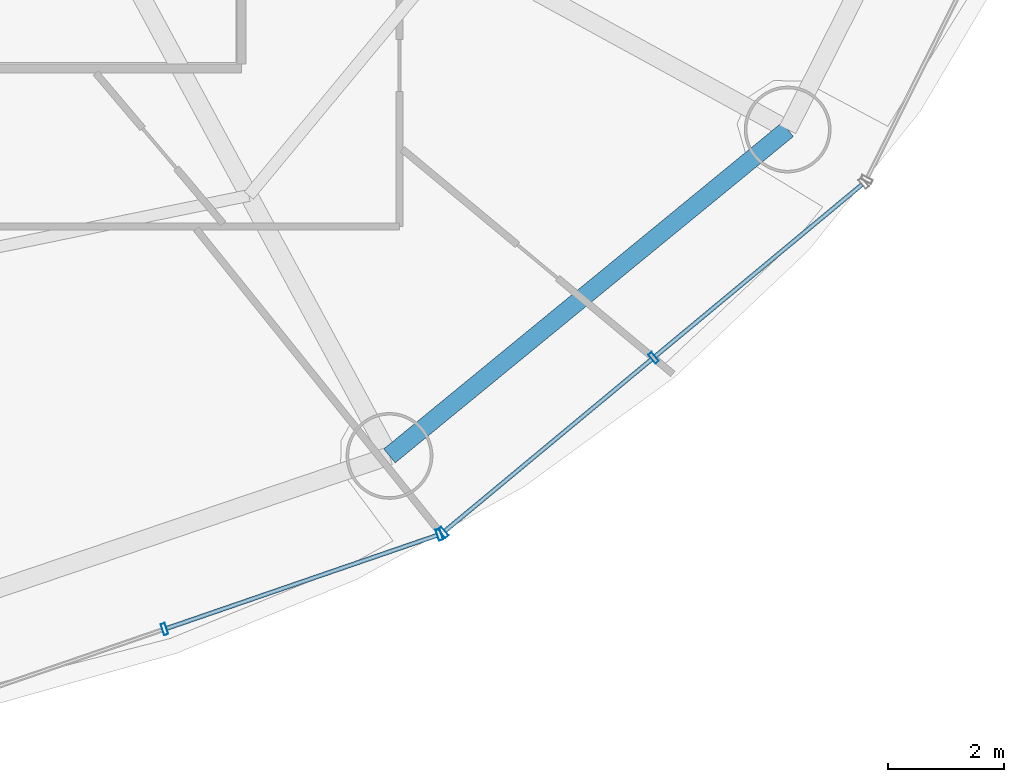
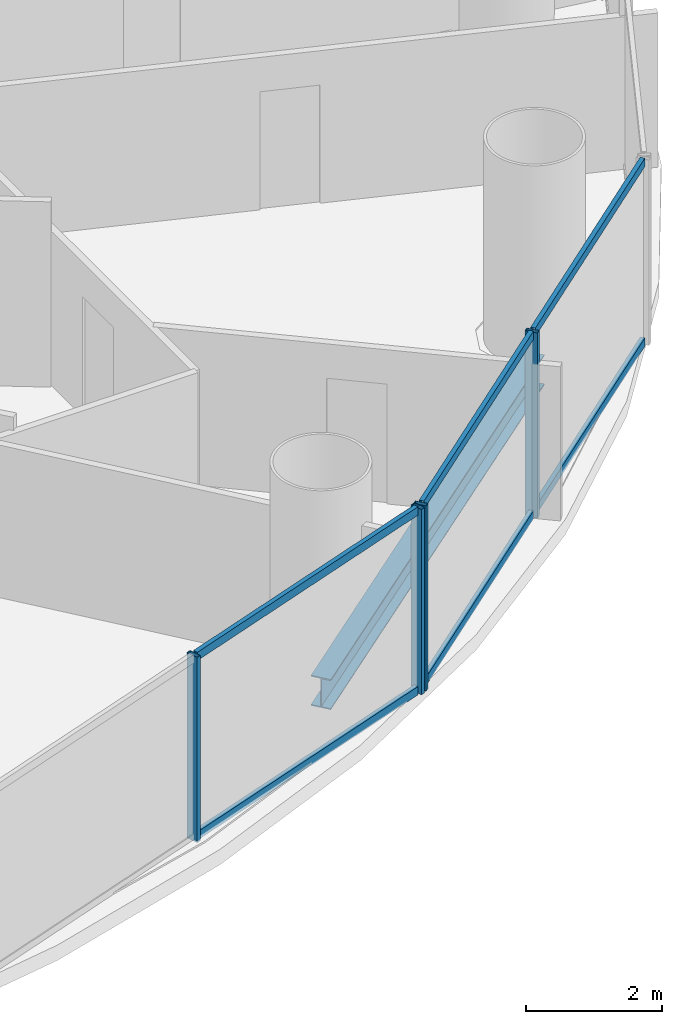
# One storey, part 11 of 29: 10 members, 1 beam, 2 elements without a shape of their own.
"""IFC4 building model written with IfcOpenShell, lengths in metres."""

from ifc_helpers import new_model, si_unit, direction, frame, origin, origin_2d, place, context, subcontext, project, spatial, hollow_rectangle, i_section, extrude, source, transform, mapped, material, material_profile, profile_set, type_object, element, aggregate, save


model = new_model("IFC4")

# Units and contexts
model_context = context("Model", 3, precision=1e-05, world=origin(), true_north=direction((-0.2419218956, 0.970295726276)))
body_context = subcontext(model_context, "Body", "Model", "MODEL_VIEW")
ifc_project = project(units=[si_unit("LENGTHUNIT", "METRE"), si_unit("AREAUNIT", "SQUARE_METRE"), si_unit("VOLUMEUNIT", "CUBIC_METRE"), si_unit("PLANEANGLEUNIT", "RADIAN"), si_unit("MASSUNIT", "GRAM", prefix="KILO")], contexts=[model_context])

# Site, building, storey
site_placement = place(None, origin())
site = spatial("IfcSite", under=ifc_project, at=site_placement, CompositionType="ELEMENT")
building_placement = place(site_placement, origin())
building = spatial("IfcBuilding", under=site, at=building_placement, Name="Cobrevalo Terracotta Tower", CompositionType="ELEMENT")
storey_placement = place(building_placement, frame((0.0, 0.0, 97.800048828125)))
storey = spatial("IfcBuildingStorey", under=building, at=storey_placement, Name="L25", CompositionType="ELEMENT", Elevation=97.800048828125)

# Beam
ifc_material_1 = material(Name="Steel S355", Category="steel")
ifc_material_profile_1 = material_profile(ifc_material_1, i_section(OverallWidth=0.31201171875, OverallDepth=0.54296875, WebThickness=0.0126953125, FlangeThickness=0.020263671875, at=origin_2d()), Name="W 530x150")
ifc_profile_set_1 = profile_set([ifc_material_profile_1], Name="Steel S355")
beam_type = type_object("IfcBeamType", Name="Structural Spandrel W 530x150 (Steel S355)", PredefinedType="SPANDREL", material=ifc_profile_set_1)
beam_placement = place(storey_placement, frame((51.861572265625, 9.79638671875, -0.546630859375), z_axis=(0.773400923541, 0.633917196064, 0.0), x_axis=(-0.633917196064, 0.773400923541, 0.0)))
element("IfcBeam", 1, at=beam_placement, inside=storey, type_object=beam_type, Name="L25 perimeter ring spandrel 14", PredefinedType="SPANDREL", context=body_context, shape_type="SweptSolid", body=[
    extrude(i_section(OverallWidth=0.31201171875, OverallDepth=0.54296875, WebThickness=0.0126953125, FlangeThickness=0.020263671875, at=origin_2d()), origin(), (0.0, 0.0, 1.0), 8.900390625),
])

# Curtain wall, members
ifc_material_2 = material(Name="Anodized aluminium", Category="aluminium")
curtain_wall_type = type_object("IfcCurtainWallType", Name="Lower-tower unitised acoustic low-E curtain wall CW-U1", PredefinedType="NOTDEFINED", material=ifc_material_2)
curtain_wall_1_placement = place(storey_placement, origin())
curtain_wall_1 = element("IfcCurtainWall", 2, at=curtain_wall_1_placement, inside=storey, type_object=curtain_wall_type, Name="L25 curtain wall CW-L25-S13", PredefinedType="NOTDEFINED")
ifc_material_profile_2 = material_profile(ifc_material_2, hollow_rectangle(XDim=0.074951171875, YDim=0.199951171875, WallThickness=0.0048828125, at=origin_2d()), Name="CWM 75x200")
ifc_profile_set_2 = profile_set([ifc_material_profile_2], Name="Anodized aluminium")
member_type_1 = type_object("IfcMemberType", Name="Lower/mid tower unitised mullion 75x200", PredefinedType="MULLION", material=ifc_profile_set_2)
shared_shape_1 = source(origin(), body_context, "Body", "SweptSolid", [
    extrude(hollow_rectangle(XDim=0.074951171875, YDim=0.199951171875, WallThickness=0.0048828125, at=origin_2d()), origin(), (0.0, 0.0, 1.0), 3.324951171875),
])
member_1_placement = place(storey_placement, frame((47.972412109375, 6.8017578125, 0.0), z_axis=(0.0, 0.0, 1.0), x_axis=(0.94559809868, 0.325337110968, 0.0)))
member_1 = element("IfcMember", 3, at=member_1_placement, type_object=member_type_1, Name="CW-L25-S13 vertical mullion 02", PredefinedType="MULLION", context=body_context, shape_type="MappedRepresentation", body=[
    mapped(shared_shape_1, transform((0.0, 0.0, 0.0), scale=1.0)),
])
member_2_placement = place(storey_placement, frame((52.7236328125, 8.4365234375, 0.0), z_axis=(0.0, 0.0, 1.0), x_axis=(0.94559809868, 0.325337110968, 0.0)))
member_2 = element("IfcMember", 4, at=member_2_placement, type_object=member_type_1, Name="CW-L25-S13 vertical mullion 03", PredefinedType="MULLION", context=body_context, shape_type="MappedRepresentation", body=[
    mapped(shared_shape_1, transform((0.0, 0.0, 0.0), scale=1.0)),
])

curtain_wall_2_placement = place(storey_placement, origin())
curtain_wall_2 = element("IfcCurtainWall", 5, at=curtain_wall_2_placement, inside=storey, type_object=curtain_wall_type, Name="L25 curtain wall CW-L25-S14", PredefinedType="NOTDEFINED")
member_3_placement = place(storey_placement, frame((52.792236328125, 8.47509765625, 0.0), z_axis=(0.0, 0.0, 1.0), x_axis=(0.769243451658, 0.638955798222, 0.0)))
member_3 = element("IfcMember", 6, at=member_3_placement, type_object=member_type_1, Name="CW-L25-S14 vertical mullion 01", PredefinedType="MULLION", context=body_context, shape_type="MappedRepresentation", body=[
    mapped(shared_shape_1, transform((0.0, 0.0, 0.0), scale=1.0)),
])
member_4_placement = place(storey_placement, frame((56.4267578125, 11.493896484375, 0.0), z_axis=(0.0, 0.0, 1.0), x_axis=(0.769243451658, 0.638955798222, 0.0)))
member_4 = element("IfcMember", 7, at=member_4_placement, type_object=member_type_1, Name="CW-L25-S14 vertical mullion 02", PredefinedType="MULLION", context=body_context, shape_type="MappedRepresentation", body=[
    mapped(shared_shape_1, transform((0.0, 0.0, 0.0), scale=1.0)),
])

# Member
ifc_material_profile_3 = material_profile(ifc_material_2, hollow_rectangle(XDim=0.074951171875, YDim=0.14990234375, WallThickness=0.00439453125, at=origin_2d()), Name="CWT 75x150")
ifc_profile_set_3 = profile_set([ifc_material_profile_3], Name="Anodized aluminium")
member_type_2 = type_object("IfcMemberType", Name="Tower unitised aluminium transom 75x150", PredefinedType="USERDEFINED", material=ifc_profile_set_3)
shared_shape_2 = source(origin(), body_context, "Body", "SweptSolid", [
    extrude(hollow_rectangle(XDim=0.074951171875, YDim=0.14990234375, WallThickness=0.00439453125, at=origin_2d()), origin(), (0.0, 0.0, 1.0), 4.944580078125),
])
member_5_placement = place(storey_placement, frame((48.01025390625, 6.814697265625, 0.050048828125), z_axis=(0.945597859971, 0.32533780478, 0.0), x_axis=(-0.32533780478, 0.945597859971, 0.0)))
member_5 = element("IfcMember", 8, at=member_5_placement, type_object=member_type_2, Name="CW-L25-S13 transom B02-T1", ObjectType="TRANSOM", PredefinedType="USERDEFINED", context=body_context, shape_type="MappedRepresentation", body=[
    mapped(shared_shape_2, transform((0.0, 0.0, 0.0), scale=1.0)),
])

member_6_placement = place(storey_placement, frame((48.01025390625, 6.814697265625, 3.27490234375), z_axis=(0.945597859971, 0.32533780478, 0.0), x_axis=(-0.32533780478, 0.945597859971, 0.0)))
member_6 = element("IfcMember", 9, at=member_6_placement, type_object=member_type_2, Name="CW-L25-S13 transom B02-T2", ObjectType="TRANSOM", PredefinedType="USERDEFINED", context=body_context, shape_type="MappedRepresentation", body=[
    mapped(shared_shape_2, transform((0.0, 0.0, 0.0), scale=1.0)),
])

aggregate(curtain_wall_1, [member_1, member_2, member_5, member_6])

shared_shape_3 = source(origin(), body_context, "Body", "SweptSolid", [
    extrude(hollow_rectangle(XDim=0.074951171875, YDim=0.14990234375, WallThickness=0.00439453125, at=origin_2d()), origin(), (0.0, 0.0, 1.0), 4.64501953125),
])
member_7_placement = place(storey_placement, frame((52.822998046875, 8.50048828125, 0.050048828125), z_axis=(0.769224156193, 0.638979027457, 0.0), x_axis=(-0.638979027457, 0.769224156193, 0.0)))
member_7 = element("IfcMember", 10, at=member_7_placement, type_object=member_type_2, Name="CW-L25-S14 transom B01-T1", ObjectType="TRANSOM", PredefinedType="USERDEFINED", context=body_context, shape_type="MappedRepresentation", body=[
    mapped(shared_shape_3, transform((0.0, 0.0, 0.0), scale=1.0)),
])

member_8_placement = place(storey_placement, frame((52.822998046875, 8.50048828125, 3.27490234375), z_axis=(0.769224156193, 0.638979027457, 0.0), x_axis=(-0.638979027457, 0.769224156193, 0.0)))
member_8 = element("IfcMember", 11, at=member_8_placement, type_object=member_type_2, Name="CW-L25-S14 transom B01-T2", ObjectType="TRANSOM", PredefinedType="USERDEFINED", context=body_context, shape_type="MappedRepresentation", body=[
    mapped(shared_shape_3, transform((0.0, 0.0, 0.0), scale=1.0)),
])

member_9_placement = place(storey_placement, frame((56.45751953125, 11.51953125, 0.050048828125), z_axis=(0.769224156193, 0.638979027457, 0.0), x_axis=(-0.638979027457, 0.769224156193, 0.0)))
member_9 = element("IfcMember", 12, at=member_9_placement, type_object=member_type_2, Name="CW-L25-S14 transom B02-T1", ObjectType="TRANSOM", PredefinedType="USERDEFINED", context=body_context, shape_type="MappedRepresentation", body=[
    mapped(shared_shape_3, transform((0.0, 0.0, 0.0), scale=1.0)),
])

member_10_placement = place(storey_placement, frame((56.45751953125, 11.51953125, 3.27490234375), z_axis=(0.769224156193, 0.638979027457, 0.0), x_axis=(-0.638979027457, 0.769224156193, 0.0)))
member_10 = element("IfcMember", 13, at=member_10_placement, type_object=member_type_2, Name="CW-L25-S14 transom B02-T2", ObjectType="TRANSOM", PredefinedType="USERDEFINED", context=body_context, shape_type="MappedRepresentation", body=[
    mapped(shared_shape_3, transform((0.0, 0.0, 0.0), scale=1.0)),
])

aggregate(curtain_wall_2, [member_3, member_4, member_7, member_8, member_9, member_10])

save(model, "model.ifc")
